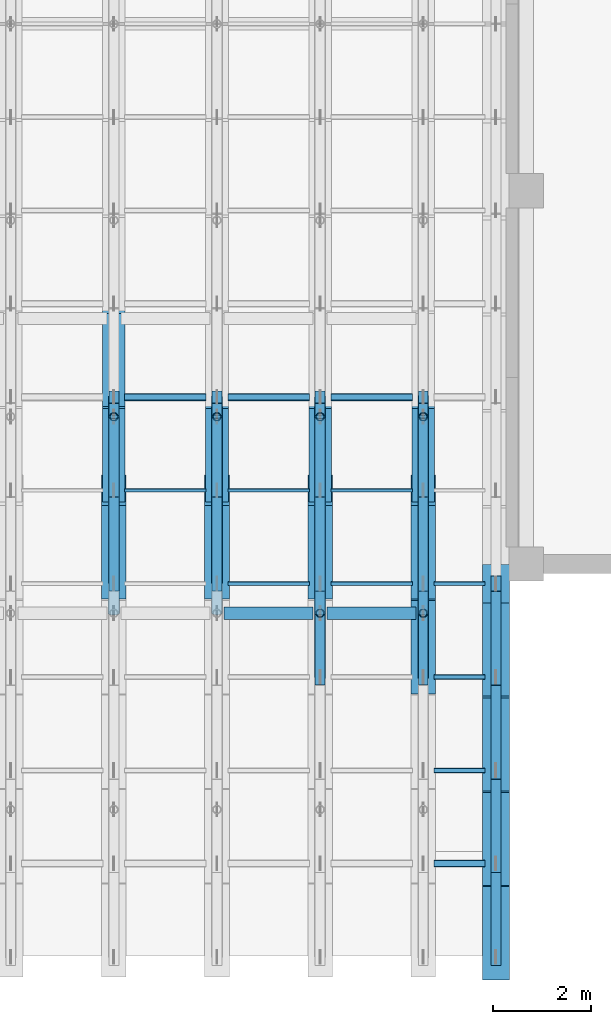
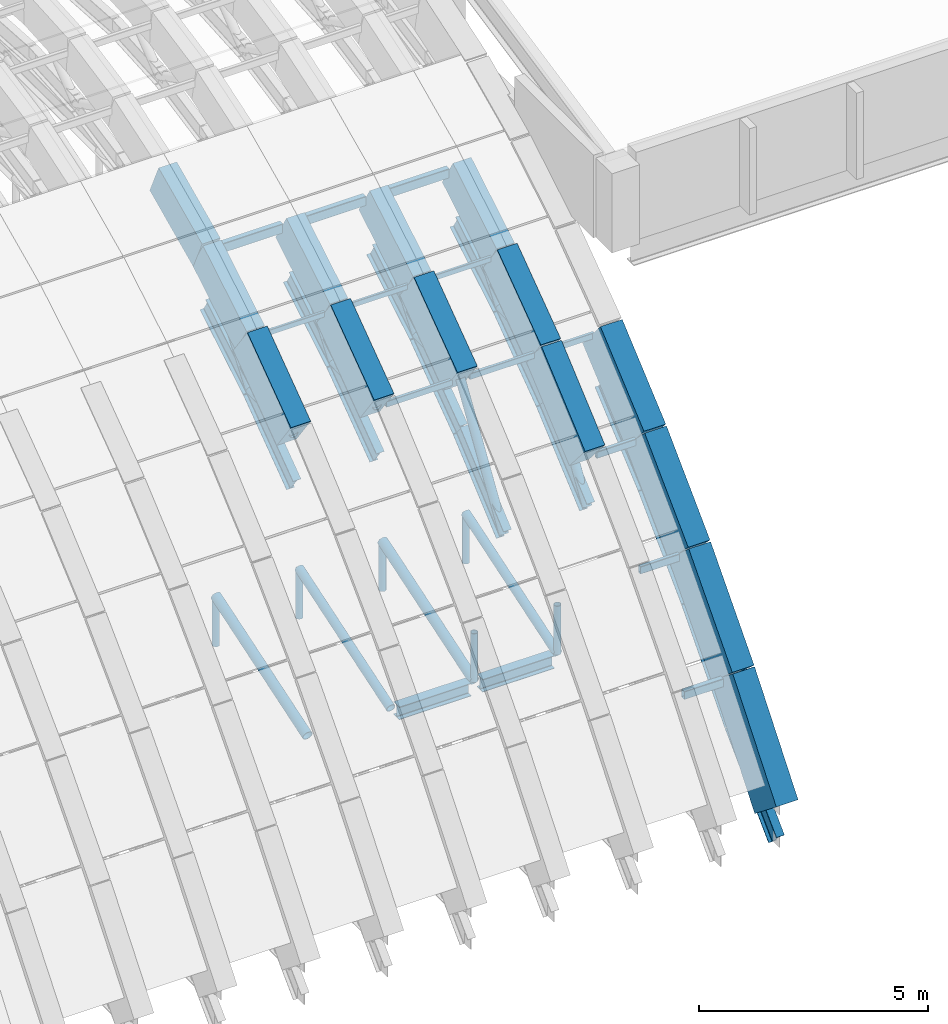
# One storey, part 33 of 67: 32 members, 30 beams.
"""IFC4 building model written with IfcOpenShell, lengths in metres."""

from ifc_helpers import new_model, si_unit, direction, frame, origin, origin_2d, place, context, subcontext, project, spatial, rectangle, hollow_rectangle, hollow_circle, i_section, extrude, material, material_profile, profile_set, type_object, element, save


model = new_model("IFC4")

# Units and contexts
model_context = context("Model", 3, precision=1e-05, world=origin(), true_north=direction((0.0, 1.0)))
body_context = subcontext(model_context, "Body", "Model", "MODEL_VIEW")
ifc_project = project(units=[si_unit("LENGTHUNIT", "METRE"), si_unit("AREAUNIT", "SQUARE_METRE"), si_unit("VOLUMEUNIT", "CUBIC_METRE"), si_unit("PLANEANGLEUNIT", "RADIAN"), si_unit("MASSUNIT", "GRAM", prefix="KILO")], contexts=[model_context])

# Site, building, storey
site_placement = place(None, origin())
site = spatial("IfcSite", under=ifc_project, at=site_placement, CompositionType="ELEMENT")
building_placement = place(site_placement, origin())
building = spatial("IfcBuilding", under=site, at=building_placement, Name="Shengluoqiao Park Theatre", CompositionType="ELEMENT")
storey_placement = place(building_placement, frame((0.0, 0.0, 28.60009765625)))
storey = spatial("IfcBuildingStorey", under=building, at=storey_placement, Name="Roof", CompositionType="ELEMENT", Elevation=28.60009765625)

# Beams
ifc_material_1 = material(Name="Concrete C50", Category="concrete")
ifc_material_profile_1 = material_profile(ifc_material_1, rectangle(XDim=0.4599609375, YDim=0.919921875, at=origin_2d()), Name="RC ARCH 460x920")
ifc_profile_set_1 = profile_set([ifc_material_profile_1], Name="Concrete C50")
beam_type_1 = type_object("IfcBeamType", Name="STR-BM-AR-4609", PredefinedType="BEAM", material=ifc_profile_set_1)
beam_1_placement = place(storey_placement, frame((78.0, 85.5, -0.570068359375), z_axis=(0.0, 0.858668723557, 0.512530997292), x_axis=(-1.0, 0.0, 0.0)))
element("IfcBeam", 1, at=beam_1_placement, inside=storey, type_object=beam_type_1, Name="Barrel-Shell Arch Rib R17-S06", PredefinedType="BEAM", context=body_context, shape_type="SweptSolid", body=[
    extrude(rectangle(XDim=0.4599609375, YDim=0.919921875, at=origin_2d()), origin(), (0.0, 0.0, 1.0), 2.212646484375),
])
beam_2_placement = place(storey_placement, frame((78.0, 87.39990234375, 0.56396484375), z_axis=(0.0, 0.907077318021, 0.420964059192), x_axis=(-1.0, 0.0, 0.0)))
element("IfcBeam", 2, at=beam_2_placement, inside=storey, type_object=beam_type_1, Name="Barrel-Shell Arch Rib R17-S07", PredefinedType="BEAM", context=body_context, shape_type="SweptSolid", body=[
    extrude(rectangle(XDim=0.4599609375, YDim=0.919921875, at=origin_2d()), origin(), (0.0, 0.0, 1.0), 2.0947265625),
])
for number, where, z_axis, x_axis, name in (
    (3, (80.10009765625, 85.5, -0.570068359375), (0.0, 0.858668723557, 0.512530997292), (-1.0, 0.0, 0.0), "Barrel-Shell Arch Rib R18-S06"),
    (4, (82.199951171875, 85.5, -0.570068359375), (0.0, 0.858668723557, 0.512530997292), (-1.0, 0.0, 0.0), "Barrel-Shell Arch Rib R19-S06"),
    (5, (84.300048828125, 85.5, -0.570068359375), (0.0, 0.858668723557, 0.512530997292), (-1.0, 0.0, 0.0), "Barrel-Shell Arch Rib R20-S06"),
):
    element("IfcBeam", number, at=place(storey_placement, frame(where, z_axis=z_axis, x_axis=x_axis)), inside=storey, type_object=beam_type_1, Name=name, PredefinedType="BEAM", context=body_context, shape_type="SweptSolid", body=[
        extrude(rectangle(XDim=0.4599609375, YDim=0.919921875, at=origin_2d()), origin(), (0.0, 0.0, 1.0), 2.212646484375),
    ])
ifc_material_profile_2 = material_profile(ifc_material_1, rectangle(XDim=0.5, YDim=1.050048828125, at=origin_2d()), Name="RC ARCH 500x1050")
ifc_profile_set_2 = profile_set([ifc_material_profile_2], Name="Concrete C50")
beam_type_2 = type_object("IfcBeamType", Name="STR-BM-AR-5010", PredefinedType="BEAM", material=ifc_profile_set_2)
for number, where, z_axis, x_axis, name in (
    (6, (78.0, 83.60009765625, -1.9560546875), (0.0, 0.807877780345, 0.589350058985), (-1.0, 0.0, 0.0), "Barrel-Shell Arch Rib R17-S05"),
    (7, (80.10009765625, 83.60009765625, -1.9560546875), (0.0, 0.807877780345, 0.589350058985), (-1.0, 0.0, 0.0), "Barrel-Shell Arch Rib R18-S05"),
    (8, (82.199951171875, 83.60009765625, -1.9560546875), (0.0, 0.807877780345, 0.589350058985), (-1.0, 0.0, 0.0), "Barrel-Shell Arch Rib R19-S05"),
):
    element("IfcBeam", number, at=place(storey_placement, frame(where, z_axis=z_axis, x_axis=x_axis)), inside=storey, type_object=beam_type_2, Name=name, PredefinedType="BEAM", context=body_context, shape_type="SweptSolid", body=[
        extrude(rectangle(XDim=0.5, YDim=1.050048828125, at=origin_2d()), origin(), (0.0, 0.0, 1.0), 2.351806640625),
    ])
beam_3_placement = place(storey_placement, frame((84.300048828125, 81.699951171875, -3.593994140625), z_axis=(0.0, 0.757433195517, 0.652912669757), x_axis=(-1.0, 0.0, 0.0)))
element("IfcBeam", 9, at=beam_3_placement, inside=storey, type_object=beam_type_2, Name="Barrel-Shell Arch Rib R20-S04", PredefinedType="BEAM", context=body_context, shape_type="SweptSolid", body=[
    extrude(rectangle(XDim=0.5, YDim=1.050048828125, at=origin_2d()), origin(), (0.0, 0.0, 1.0), 2.508544921875),
])
beam_4_placement = place(storey_placement, frame((84.300048828125, 83.60009765625, -1.9560546875), z_axis=(0.0, 0.807877780345, 0.589350058985), x_axis=(-1.0, 0.0, 0.0)))
element("IfcBeam", 10, at=beam_4_placement, inside=storey, type_object=beam_type_2, Name="Barrel-Shell Arch Rib R20-S05", PredefinedType="BEAM", context=body_context, shape_type="SweptSolid", body=[
    extrude(rectangle(XDim=0.5, YDim=1.050048828125, at=origin_2d()), origin(), (0.0, 0.0, 1.0), 2.351806640625),
])
ifc_material_profile_3 = material_profile(ifc_material_1, rectangle(XDim=0.550048828125, YDim=1.199951171875, at=origin_2d()), Name="RC ARCH 550x1200")
ifc_profile_set_3 = profile_set([ifc_material_profile_3], Name="Concrete C50")
beam_type_3 = type_object("IfcBeamType", Name="STR-BM-AR-5512", PredefinedType="BEAM", material=ifc_profile_set_3)
beam_5_placement = place(storey_placement, frame((85.780029296875, 76.0, -10.02001953125), z_axis=(0.0, 0.621631409309, 0.783309894588), x_axis=(-1.0, 0.0, 0.0)))
element("IfcBeam", 11, at=beam_5_placement, inside=storey, type_object=beam_type_3, Name="Barrel-Shell Arch Rib R21-S01", PredefinedType="BEAM", context=body_context, shape_type="SweptSolid", body=[
    extrude(rectangle(XDim=0.550048828125, YDim=1.199951171875, at=origin_2d()), origin(), (0.0, 0.0, 1.0), 3.056396484375),
])
beam_6_placement = place(storey_placement, frame((85.780029296875, 77.89990234375, -7.6259765625), z_axis=(0.0, 0.663638456789, 0.748053473136), x_axis=(-1.0, 0.0, 0.0)))
element("IfcBeam", 12, at=beam_6_placement, inside=storey, type_object=beam_type_3, Name="Barrel-Shell Arch Rib R21-S02", PredefinedType="BEAM", context=body_context, shape_type="SweptSolid", body=[
    extrude(rectangle(XDim=0.550048828125, YDim=1.199951171875, at=origin_2d()), origin(), (0.0, 0.0, 1.0), 2.86328125),
])
beam_7_placement = place(storey_placement, frame((85.780029296875, 79.800048828125, -5.484130859375), z_axis=(0.0, 0.708926398432, 0.705282469373), x_axis=(-1.0, 0.0, 0.0)))
element("IfcBeam", 13, at=beam_7_placement, inside=storey, type_object=beam_type_3, Name="Barrel-Shell Arch Rib R21-S03", PredefinedType="BEAM", context=body_context, shape_type="SweptSolid", body=[
    extrude(rectangle(XDim=0.550048828125, YDim=1.199951171875, at=origin_2d()), origin(), (0.0, 0.0, 1.0), 2.679931640625),
])
beam_8_placement = place(storey_placement, frame((85.780029296875, 81.699951171875, -3.593994140625), z_axis=(0.0, 0.757433195517, 0.652912669757), x_axis=(-1.0, 0.0, 0.0)))
element("IfcBeam", 14, at=beam_8_placement, inside=storey, type_object=beam_type_3, Name="Barrel-Shell Arch Rib R21-S04", PredefinedType="BEAM", context=body_context, shape_type="SweptSolid", body=[
    extrude(rectangle(XDim=0.550048828125, YDim=1.199951171875, at=origin_2d()), origin(), (0.0, 0.0, 1.0), 2.508544921875),
])
ifc_material_2 = material(Name="Steel Q355", Category="steel")
ifc_material_profile_4 = material_profile(ifc_material_2, i_section(OverallWidth=0.25, OverallDepth=0.340087890625, WebThickness=0.009033203125, FlangeThickness=0.013916015625, FilletRadius=0.01611328125, at=origin_2d()), Name="HM 340x250x9x14")
ifc_profile_set_4 = profile_set([ifc_material_profile_4], Name="Steel Q355")
beam_type_4 = type_object("IfcBeamType", Name="STR-BM-G-HM340", PredefinedType="BEAM", material=ifc_profile_set_4)
for number, where, z_axis, x_axis, name in (
    (15, (80.243896484375, 83.0, -9.77001953125), (1.0, 0.0, 0.0), (0.0, 1.0, 0.0), "Auditorium Overhead Catwalk Girder R18-1"),
    (16, (82.343994140625, 83.0, -9.77001953125), (1.0, 0.0, 0.0), (0.0, 1.0, 0.0), "Auditorium Overhead Catwalk Girder R19-1"),
):
    element("IfcBeam", number, at=place(storey_placement, frame(where, z_axis=z_axis, x_axis=x_axis)), inside=storey, type_object=beam_type_4, Name=name, PredefinedType="BEAM", context=body_context, shape_type="SweptSolid", body=[
        extrude(i_section(OverallWidth=0.25, OverallDepth=0.340087890625, WebThickness=0.009033203125, FlangeThickness=0.013916015625, FilletRadius=0.01611328125, at=origin_2d()), origin(), (0.0, 0.0, 1.0), 1.81201171875),
    ])
ifc_material_profile_5 = material_profile(ifc_material_2, i_section(OverallWidth=0.199951171875, OverallDepth=0.5, WebThickness=0.010009765625, FlangeThickness=0.01611328125, FilletRadius=0.01806640625, at=origin_2d()), Name="HN 500x200x10x16")
ifc_profile_set_5 = profile_set([ifc_material_profile_5], Name="Steel Q355")
beam_type_5 = type_object("IfcBeamType", Name="STR-BM-J-HN500", PredefinedType="JOIST", material=ifc_profile_set_5)
beam_9_placement = place(storey_placement, frame((78.0, 83.60009765625, -3.316162109375), z_axis=(0.0, 0.807877780345, 0.589350058985), x_axis=(-1.0, 0.0, 0.0)))
element("IfcBeam", 17, at=beam_9_placement, inside=storey, type_object=beam_type_5, Name="Barrel-Shell Lower Arch Chord R17-S05", PredefinedType="JOIST", context=body_context, shape_type="SweptSolid", body=[
    extrude(i_section(OverallWidth=0.199951171875, OverallDepth=0.5, WebThickness=0.010009765625, FlangeThickness=0.01611328125, FilletRadius=0.01806640625, at=origin_2d()), origin(), (0.0, 0.0, 1.0), 2.351806640625),
])
beam_10_placement = place(storey_placement, frame((78.0, 85.5, -1.93017578125), z_axis=(0.0, 0.858668723557, 0.512530997292), x_axis=(-1.0, 0.0, 0.0)))
element("IfcBeam", 18, at=beam_10_placement, inside=storey, type_object=beam_type_5, Name="Barrel-Shell Lower Arch Chord R17-S06", PredefinedType="JOIST", context=body_context, shape_type="SweptSolid", body=[
    extrude(i_section(OverallWidth=0.199951171875, OverallDepth=0.5, WebThickness=0.010009765625, FlangeThickness=0.01611328125, FilletRadius=0.01806640625, at=origin_2d()), origin(), (0.0, 0.0, 1.0), 2.212646484375),
])
beam_11_placement = place(storey_placement, frame((80.10009765625, 83.60009765625, -3.316162109375), z_axis=(0.0, 0.807877780345, 0.589350058985), x_axis=(-1.0, 0.0, 0.0)))
element("IfcBeam", 19, at=beam_11_placement, inside=storey, type_object=beam_type_5, Name="Barrel-Shell Lower Arch Chord R18-S05", PredefinedType="JOIST", context=body_context, shape_type="SweptSolid", body=[
    extrude(i_section(OverallWidth=0.199951171875, OverallDepth=0.5, WebThickness=0.010009765625, FlangeThickness=0.01611328125, FilletRadius=0.01806640625, at=origin_2d()), origin(), (0.0, 0.0, 1.0), 2.351806640625),
])
beam_12_placement = place(storey_placement, frame((80.10009765625, 85.5, -1.93017578125), z_axis=(0.0, 0.858668723557, 0.512530997292), x_axis=(-1.0, 0.0, 0.0)))
element("IfcBeam", 20, at=beam_12_placement, inside=storey, type_object=beam_type_5, Name="Barrel-Shell Lower Arch Chord R18-S06", PredefinedType="JOIST", context=body_context, shape_type="SweptSolid", body=[
    extrude(i_section(OverallWidth=0.199951171875, OverallDepth=0.5, WebThickness=0.010009765625, FlangeThickness=0.01611328125, FilletRadius=0.01806640625, at=origin_2d()), origin(), (0.0, 0.0, 1.0), 2.212646484375),
])
beam_13_placement = place(storey_placement, frame((82.199951171875, 81.699951171875, -4.9541015625), z_axis=(0.0, 0.757433195517, 0.652912669757), x_axis=(-1.0, 0.0, 0.0)))
element("IfcBeam", 21, at=beam_13_placement, inside=storey, type_object=beam_type_5, Name="Barrel-Shell Lower Arch Chord R19-S04", PredefinedType="JOIST", context=body_context, shape_type="SweptSolid", body=[
    extrude(i_section(OverallWidth=0.199951171875, OverallDepth=0.5, WebThickness=0.010009765625, FlangeThickness=0.01611328125, FilletRadius=0.01806640625, at=origin_2d()), origin(), (0.0, 0.0, 1.0), 2.508544921875),
])
beam_14_placement = place(storey_placement, frame((82.199951171875, 83.60009765625, -3.316162109375), z_axis=(0.0, 0.807877780345, 0.589350058985), x_axis=(-1.0, 0.0, 0.0)))
element("IfcBeam", 22, at=beam_14_placement, inside=storey, type_object=beam_type_5, Name="Barrel-Shell Lower Arch Chord R19-S05", PredefinedType="JOIST", context=body_context, shape_type="SweptSolid", body=[
    extrude(i_section(OverallWidth=0.199951171875, OverallDepth=0.5, WebThickness=0.010009765625, FlangeThickness=0.01611328125, FilletRadius=0.01806640625, at=origin_2d()), origin(), (0.0, 0.0, 1.0), 2.351806640625),
])
beam_15_placement = place(storey_placement, frame((82.199951171875, 85.5, -1.93017578125), z_axis=(0.0, 0.858668723557, 0.512530997292), x_axis=(-1.0, 0.0, 0.0)))
element("IfcBeam", 23, at=beam_15_placement, inside=storey, type_object=beam_type_5, Name="Barrel-Shell Lower Arch Chord R19-S06", PredefinedType="JOIST", context=body_context, shape_type="SweptSolid", body=[
    extrude(i_section(OverallWidth=0.199951171875, OverallDepth=0.5, WebThickness=0.010009765625, FlangeThickness=0.01611328125, FilletRadius=0.01806640625, at=origin_2d()), origin(), (0.0, 0.0, 1.0), 2.212646484375),
])
beam_16_placement = place(storey_placement, frame((84.300048828125, 81.699951171875, -4.9541015625), z_axis=(0.0, 0.757433195517, 0.652912669757), x_axis=(-1.0, 0.0, 0.0)))
element("IfcBeam", 24, at=beam_16_placement, inside=storey, type_object=beam_type_5, Name="Barrel-Shell Lower Arch Chord R20-S04", PredefinedType="JOIST", context=body_context, shape_type="SweptSolid", body=[
    extrude(i_section(OverallWidth=0.199951171875, OverallDepth=0.5, WebThickness=0.010009765625, FlangeThickness=0.01611328125, FilletRadius=0.01806640625, at=origin_2d()), origin(), (0.0, 0.0, 1.0), 2.508544921875),
])
beam_17_placement = place(storey_placement, frame((84.300048828125, 83.60009765625, -3.316162109375), z_axis=(0.0, 0.807877780345, 0.589350058985), x_axis=(-1.0, 0.0, 0.0)))
element("IfcBeam", 25, at=beam_17_placement, inside=storey, type_object=beam_type_5, Name="Barrel-Shell Lower Arch Chord R20-S05", PredefinedType="JOIST", context=body_context, shape_type="SweptSolid", body=[
    extrude(i_section(OverallWidth=0.199951171875, OverallDepth=0.5, WebThickness=0.010009765625, FlangeThickness=0.01611328125, FilletRadius=0.01806640625, at=origin_2d()), origin(), (0.0, 0.0, 1.0), 2.351806640625),
])
beam_18_placement = place(storey_placement, frame((84.300048828125, 85.5, -1.93017578125), z_axis=(0.0, 0.858668723557, 0.512530997292), x_axis=(-1.0, 0.0, 0.0)))
element("IfcBeam", 26, at=beam_18_placement, inside=storey, type_object=beam_type_5, Name="Barrel-Shell Lower Arch Chord R20-S06", PredefinedType="JOIST", context=body_context, shape_type="SweptSolid", body=[
    extrude(i_section(OverallWidth=0.199951171875, OverallDepth=0.5, WebThickness=0.010009765625, FlangeThickness=0.01611328125, FilletRadius=0.01806640625, at=origin_2d()), origin(), (0.0, 0.0, 1.0), 2.212646484375),
])
beam_19_placement = place(storey_placement, frame((85.780029296875, 76.0, -10.880126953125), z_axis=(0.0, 0.708197993403, 0.706013882398), x_axis=(-1.0, 0.0, 0.0)))
element("IfcBeam", 27, at=beam_19_placement, inside=storey, type_object=beam_type_5, Name="Barrel-Shell Lower Arch Chord R21-S01", PredefinedType="JOIST", context=body_context, shape_type="SweptSolid", body=[
    extrude(i_section(OverallWidth=0.199951171875, OverallDepth=0.5, WebThickness=0.010009765625, FlangeThickness=0.01611328125, FilletRadius=0.01806640625, at=origin_2d()), origin(), (0.0, 0.0, 1.0), 2.6826171875),
])
beam_20_placement = place(storey_placement, frame((85.780029296875, 77.89990234375, -8.986083984375), z_axis=(0.0, 0.663596128385, 0.748091022799), x_axis=(-1.0, 0.0, 0.0)))
element("IfcBeam", 28, at=beam_20_placement, inside=storey, type_object=beam_type_5, Name="Barrel-Shell Lower Arch Chord R21-S02", PredefinedType="JOIST", context=body_context, shape_type="SweptSolid", body=[
    extrude(i_section(OverallWidth=0.199951171875, OverallDepth=0.5, WebThickness=0.010009765625, FlangeThickness=0.01611328125, FilletRadius=0.01806640625, at=origin_2d()), origin(), (0.0, 0.0, 1.0), 2.863525390625),
])
beam_21_placement = place(storey_placement, frame((85.780029296875, 79.800048828125, -6.843994140625), z_axis=(0.0, 0.708971948389, 0.70523668112), x_axis=(-1.0, 0.0, 0.0)))
element("IfcBeam", 29, at=beam_21_placement, inside=storey, type_object=beam_type_5, Name="Barrel-Shell Lower Arch Chord R21-S03", PredefinedType="JOIST", context=body_context, shape_type="SweptSolid", body=[
    extrude(i_section(OverallWidth=0.199951171875, OverallDepth=0.5, WebThickness=0.010009765625, FlangeThickness=0.01611328125, FilletRadius=0.01806640625, at=origin_2d()), origin(), (0.0, 0.0, 1.0), 2.6796875),
])
beam_22_placement = place(storey_placement, frame((85.780029296875, 81.699951171875, -4.9541015625), z_axis=(0.0, 0.757433195517, 0.652912669757), x_axis=(-1.0, 0.0, 0.0)))
element("IfcBeam", 30, at=beam_22_placement, inside=storey, type_object=beam_type_5, Name="Barrel-Shell Lower Arch Chord R21-S04", PredefinedType="JOIST", context=body_context, shape_type="SweptSolid", body=[
    extrude(i_section(OverallWidth=0.199951171875, OverallDepth=0.5, WebThickness=0.010009765625, FlangeThickness=0.01611328125, FilletRadius=0.01806640625, at=origin_2d()), origin(), (0.0, 0.0, 1.0), 2.508544921875),
])

# Members
ifc_material_profile_6 = material_profile(ifc_material_2, hollow_circle(Radius=0.109619140625, WallThickness=0.010009765625, at=origin_2d()), Name="CHS 219x10")
ifc_profile_set_6 = profile_set([ifc_material_profile_6], Name="Steel Q355")
member_type_1 = type_object("IfcMemberType", Name="STR-MEM-BRC-219", PredefinedType="BRACE", material=ifc_profile_set_6)
member_1_placement = place(storey_placement, frame((78.0, 83.60009765625, -1.9560546875), z_axis=(0.0, 0.999907244674, 0.013619913639), x_axis=(-1.0, 0.0, 0.0)))
element("IfcMember", 31, at=member_1_placement, inside=storey, type_object=member_type_1, Name="Barrel-Shell Arch Truss Web 0325", PredefinedType="BRACE", context=body_context, shape_type="SweptSolid", body=[
    extrude(hollow_circle(Radius=0.109619140625, WallThickness=0.010009765625, at=origin_2d()), origin(), (0.0, 0.0, 1.0), 1.900146484375),
])
member_2_placement = place(storey_placement, frame((78.0, 85.5, -1.93017578125), z_axis=(0.0, 0.605963445698, 0.795492490523), x_axis=(-1.0, 0.0, 0.0)))
element("IfcMember", 32, at=member_2_placement, inside=storey, type_object=member_type_1, Name="Barrel-Shell Arch Truss Web 0326", PredefinedType="BRACE", context=body_context, shape_type="SweptSolid", body=[
    extrude(hollow_circle(Radius=0.109619140625, WallThickness=0.010009765625, at=origin_2d()), origin(), (0.0, 0.0, 1.0), 3.13525390625),
])
member_3_placement = place(storey_placement, frame((80.10009765625, 83.60009765625, -1.9560546875), z_axis=(0.0, 0.999907244674, 0.013619913639), x_axis=(-1.0, 0.0, 0.0)))
element("IfcMember", 33, at=member_3_placement, inside=storey, type_object=member_type_1, Name="Barrel-Shell Arch Truss Web 0345", PredefinedType="BRACE", context=body_context, shape_type="SweptSolid", body=[
    extrude(hollow_circle(Radius=0.109619140625, WallThickness=0.010009765625, at=origin_2d()), origin(), (0.0, 0.0, 1.0), 1.900146484375),
])
member_4_placement = place(storey_placement, frame((80.10009765625, 85.5, -1.93017578125), z_axis=(0.0, 0.605963445698, 0.795492490523), x_axis=(-1.0, 0.0, 0.0)))
element("IfcMember", 34, at=member_4_placement, inside=storey, type_object=member_type_1, Name="Barrel-Shell Arch Truss Web 0346", PredefinedType="BRACE", context=body_context, shape_type="SweptSolid", body=[
    extrude(hollow_circle(Radius=0.109619140625, WallThickness=0.010009765625, at=origin_2d()), origin(), (0.0, 0.0, 1.0), 3.13525390625),
])
member_5_placement = place(storey_placement, frame((82.199951171875, 81.699951171875, -4.9541015625), z_axis=(0.0, 0.535330234694, 0.844642847494), x_axis=(-1.0, 0.0, 0.0)))
element("IfcMember", 35, at=member_5_placement, inside=storey, type_object=member_type_1, Name="Barrel-Shell Arch Truss Web 0364", PredefinedType="BRACE", context=body_context, shape_type="SweptSolid", body=[
    extrude(hollow_circle(Radius=0.109619140625, WallThickness=0.010009765625, at=origin_2d()), origin(), (0.0, 0.0, 1.0), 3.549560546875),
])
member_6_placement = place(storey_placement, frame((82.199951171875, 83.60009765625, -1.9560546875), z_axis=(0.0, 0.999907244674, 0.013619913639), x_axis=(-1.0, 0.0, 0.0)))
element("IfcMember", 36, at=member_6_placement, inside=storey, type_object=member_type_1, Name="Barrel-Shell Arch Truss Web 0365", PredefinedType="BRACE", context=body_context, shape_type="SweptSolid", body=[
    extrude(hollow_circle(Radius=0.109619140625, WallThickness=0.010009765625, at=origin_2d()), origin(), (0.0, 0.0, 1.0), 1.900146484375),
])
member_7_placement = place(storey_placement, frame((82.199951171875, 85.5, -1.93017578125), z_axis=(0.0, 0.605963445698, 0.795492490523), x_axis=(-1.0, 0.0, 0.0)))
element("IfcMember", 37, at=member_7_placement, inside=storey, type_object=member_type_1, Name="Barrel-Shell Arch Truss Web 0366", PredefinedType="BRACE", context=body_context, shape_type="SweptSolid", body=[
    extrude(hollow_circle(Radius=0.109619140625, WallThickness=0.010009765625, at=origin_2d()), origin(), (0.0, 0.0, 1.0), 3.13525390625),
])
member_8_placement = place(storey_placement, frame((84.300048828125, 81.699951171875, -4.9541015625), z_axis=(0.0, 0.535330234694, 0.844642847494), x_axis=(-1.0, 0.0, 0.0)))
element("IfcMember", 38, at=member_8_placement, inside=storey, type_object=member_type_1, Name="Barrel-Shell Arch Truss Web 0384", PredefinedType="BRACE", context=body_context, shape_type="SweptSolid", body=[
    extrude(hollow_circle(Radius=0.109619140625, WallThickness=0.010009765625, at=origin_2d()), origin(), (0.0, 0.0, 1.0), 3.549560546875),
])
member_9_placement = place(storey_placement, frame((84.300048828125, 83.60009765625, -1.9560546875), z_axis=(0.0, 0.999907244674, 0.013619913639), x_axis=(-1.0, 0.0, 0.0)))
element("IfcMember", 39, at=member_9_placement, inside=storey, type_object=member_type_1, Name="Barrel-Shell Arch Truss Web 0385", PredefinedType="BRACE", context=body_context, shape_type="SweptSolid", body=[
    extrude(hollow_circle(Radius=0.109619140625, WallThickness=0.010009765625, at=origin_2d()), origin(), (0.0, 0.0, 1.0), 1.900146484375),
])
member_10_placement = place(storey_placement, frame((84.300048828125, 85.5, -1.93017578125), z_axis=(0.0, 0.605963445698, 0.795492490523), x_axis=(-1.0, 0.0, 0.0)))
element("IfcMember", 40, at=member_10_placement, inside=storey, type_object=member_type_1, Name="Barrel-Shell Arch Truss Web 0386", PredefinedType="BRACE", context=body_context, shape_type="SweptSolid", body=[
    extrude(hollow_circle(Radius=0.109619140625, WallThickness=0.010009765625, at=origin_2d()), origin(), (0.0, 0.0, 1.0), 3.13525390625),
])
for number, where, z_axis, x_axis, name in (
    (41, (80.10009765625, 83.0, -9.650146484375), (0.0, 0.951030656115, 0.309096572498), (-1.0, 0.0, 0.0), "Acoustic Tie Truss Diagonal 0147"),
    (42, (84.300048828125, 83.0, -9.650146484375), (0.0, 0.951030656115, 0.309096572498), (-1.0, 0.0, 0.0), "Acoustic Tie Truss Diagonal 0181"),
):
    element("IfcMember", number, at=place(storey_placement, frame(where, z_axis=z_axis, x_axis=x_axis)), inside=storey, type_object=member_type_1, Name=name, PredefinedType="BRACE", context=body_context, shape_type="SweptSolid", body=[
        extrude(hollow_circle(Radius=0.109619140625, WallThickness=0.010009765625, at=origin_2d()), origin(), (0.0, 0.0, 1.0), 4.2060546875),
    ])
ifc_material_profile_7 = material_profile(ifc_material_2, hollow_circle(Radius=0.12255859375, WallThickness=0.010009765625, at=origin_2d()), Name="CHS 245x10")
ifc_profile_set_7 = profile_set([ifc_material_profile_7], Name="Steel Q355")
member_type_2 = type_object("IfcMemberType", Name="STR-MEM-BRC-245", PredefinedType="BRACE", material=ifc_profile_set_7)
for number, where, z_axis, x_axis, name in (
    (43, (78.0, 83.0, -9.650146484375), (0.0, 0.951030656115, 0.309096572498), (-1.0, 0.0, 0.0), "Acoustic Tie Truss Diagonal 0130"),
    (44, (82.199951171875, 83.0, -9.650146484375), (0.0, 0.951030656115, 0.309096572498), (-1.0, 0.0, 0.0), "Acoustic Tie Truss Diagonal 0164"),
):
    element("IfcMember", number, at=place(storey_placement, frame(where, z_axis=z_axis, x_axis=x_axis)), inside=storey, type_object=member_type_2, Name=name, PredefinedType="BRACE", context=body_context, shape_type="SweptSolid", body=[
        extrude(hollow_circle(Radius=0.12255859375, WallThickness=0.010009765625, at=origin_2d()), origin(), (0.0, 0.0, 1.0), 4.2060546875),
    ])
ifc_material_profile_8 = material_profile(ifc_material_2, hollow_rectangle(XDim=0.070068359375, YDim=0.139892578125, WallThickness=0.006103515625, InnerFilletRadius=0.006103515625, OuterFilletRadius=0.011962890625, at=origin_2d()), Name="RHS 140x70x6")
ifc_profile_set_8 = profile_set([ifc_material_profile_8], Name="Steel Q355")
member_type_3 = type_object("IfcMemberType", Name="STR-MEM-PU-R140", PredefinedType="PURLIN", material=ifc_profile_set_8)
for number, where, z_axis, x_axis, name in (
    (45, (78.219970703125, 85.5, -0.570068359375), (1.0, 0.0, 0.0), (0.0, 1.0, 0.0), "Shell Longitudinal Purlin 0309"),
    (46, (80.320068359375, 85.5, -0.570068359375), (1.0, 0.0, 0.0), (0.0, 1.0, 0.0), "Shell Longitudinal Purlin 0328"),
):
    element("IfcMember", number, at=place(storey_placement, frame(where, z_axis=z_axis, x_axis=x_axis)), inside=storey, type_object=member_type_3, Name=name, PredefinedType="PURLIN", context=body_context, shape_type="SweptSolid", body=[
        extrude(hollow_rectangle(XDim=0.070068359375, YDim=0.139892578125, WallThickness=0.006103515625, InnerFilletRadius=0.006103515625, OuterFilletRadius=0.011962890625, at=origin_2d()), origin(), (0.0, 0.0, 1.0), 1.659912109375),
    ])
member_11_placement = place(storey_placement, frame((82.419921875, 85.5, -0.570068359375), z_axis=(1.0, 0.0, 0.0), x_axis=(0.0, 1.0, 0.0)))
element("IfcMember", 47, at=member_11_placement, inside=storey, type_object=member_type_3, Name="Shell Longitudinal Purlin 0347", PredefinedType="PURLIN", context=body_context, shape_type="SweptSolid", body=[
    extrude(hollow_rectangle(XDim=0.070068359375, YDim=0.139892578125, WallThickness=0.006103515625, InnerFilletRadius=0.006103515625, OuterFilletRadius=0.011962890625, at=origin_2d()), origin(), (0.0, 0.0, 1.0), 1.66015625),
])
ifc_material_profile_9 = material_profile(ifc_material_2, hollow_rectangle(XDim=0.080078125, YDim=0.159912109375, WallThickness=0.006103515625, InnerFilletRadius=0.006103515625, OuterFilletRadius=0.011962890625, at=origin_2d()), Name="RHS 160x80x6")
ifc_profile_set_9 = profile_set([ifc_material_profile_9], Name="Steel Q355")
member_type_4 = type_object("IfcMemberType", Name="STR-MEM-PU-R160", PredefinedType="PURLIN", material=ifc_profile_set_9)
member_12_placement = place(storey_placement, frame((80.320068359375, 83.60009765625, -1.97607421875), z_axis=(1.0, 0.0, 0.0), x_axis=(0.0, 1.0, 0.0)))
element("IfcMember", 48, at=member_12_placement, inside=storey, type_object=member_type_4, Name="Shell Longitudinal Purlin 0327", PredefinedType="PURLIN", context=body_context, shape_type="SweptSolid", body=[
    extrude(hollow_rectangle(XDim=0.080078125, YDim=0.159912109375, WallThickness=0.006103515625, InnerFilletRadius=0.006103515625, OuterFilletRadius=0.011962890625, at=origin_2d()), origin(), (0.0, 0.0, 1.0), 1.659912109375),
])
member_13_placement = place(storey_placement, frame((82.419921875, 83.60009765625, -1.97607421875), z_axis=(1.0, 0.0, 0.0), x_axis=(0.0, 1.0, 0.0)))
element("IfcMember", 49, at=member_13_placement, inside=storey, type_object=member_type_4, Name="Shell Longitudinal Purlin 0346", PredefinedType="PURLIN", context=body_context, shape_type="SweptSolid", body=[
    extrude(hollow_rectangle(XDim=0.080078125, YDim=0.159912109375, WallThickness=0.006103515625, InnerFilletRadius=0.006103515625, OuterFilletRadius=0.011962890625, at=origin_2d()), origin(), (0.0, 0.0, 1.0), 1.66015625),
])
member_14_placement = place(storey_placement, frame((84.52001953125, 83.60009765625, -1.97607421875), z_axis=(1.0, 0.0, 0.0), x_axis=(0.0, 1.0, 0.0)))
element("IfcMember", 50, at=member_14_placement, inside=storey, type_object=member_type_4, Name="Shell Longitudinal Purlin 0365", PredefinedType="PURLIN", context=body_context, shape_type="SweptSolid", body=[
    extrude(hollow_rectangle(XDim=0.080078125, YDim=0.159912109375, WallThickness=0.006103515625, InnerFilletRadius=0.006103515625, OuterFilletRadius=0.011962890625, at=origin_2d()), origin(), (0.0, 0.0, 1.0), 1.0400390625),
])
ifc_material_profile_10 = material_profile(ifc_material_2, hollow_rectangle(XDim=0.10009765625, YDim=0.179931640625, WallThickness=0.008056640625, InnerFilletRadius=0.008056640625, OuterFilletRadius=0.01611328125, at=origin_2d()), Name="RHS 180x100x8")
ifc_profile_set_10 = profile_set([ifc_material_profile_10], Name="Steel Q355")
member_type_5 = type_object("IfcMemberType", Name="STR-MEM-PU-R180", PredefinedType="PURLIN", material=ifc_profile_set_10)
member_15_placement = place(storey_placement, frame((84.52001953125, 81.699951171875, -3.64404296875), z_axis=(1.0, 0.0, 0.0), x_axis=(0.0, 1.0, 0.0)))
element("IfcMember", 51, at=member_15_placement, inside=storey, type_object=member_type_5, Name="Shell Longitudinal Purlin 0364", PredefinedType="PURLIN", context=body_context, shape_type="SweptSolid", body=[
    extrude(hollow_rectangle(XDim=0.10009765625, YDim=0.179931640625, WallThickness=0.008056640625, InnerFilletRadius=0.008056640625, OuterFilletRadius=0.01611328125, at=origin_2d()), origin(), (0.0, 0.0, 1.0), 1.0400390625),
])
ifc_material_profile_11 = material_profile(ifc_material_2, hollow_rectangle(XDim=0.10009765625, YDim=0.199951171875, WallThickness=0.008056640625, InnerFilletRadius=0.008056640625, OuterFilletRadius=0.01611328125, at=origin_2d()), Name="RHS 200x100x8")
ifc_profile_set_11 = profile_set([ifc_material_profile_11], Name="Steel Q355")
member_type_6 = type_object("IfcMemberType", Name="STR-MEM-PU-R200", PredefinedType="PURLIN", material=ifc_profile_set_11)
member_16_placement = place(storey_placement, frame((84.52001953125, 79.800048828125, -5.564208984375), z_axis=(1.0, 0.0, 0.0), x_axis=(0.0, 1.0, 0.0)))
element("IfcMember", 52, at=member_16_placement, inside=storey, type_object=member_type_6, Name="Shell Longitudinal Purlin 0363", PredefinedType="PURLIN", context=body_context, shape_type="SweptSolid", body=[
    extrude(hollow_rectangle(XDim=0.10009765625, YDim=0.199951171875, WallThickness=0.008056640625, InnerFilletRadius=0.008056640625, OuterFilletRadius=0.01611328125, at=origin_2d()), origin(), (0.0, 0.0, 1.0), 1.0400390625),
])
ifc_material_profile_12 = material_profile(ifc_material_2, hollow_rectangle(XDim=0.139892578125, YDim=0.219970703125, WallThickness=0.010009765625, InnerFilletRadius=0.010009765625, OuterFilletRadius=0.02001953125, at=origin_2d()), Name="RHS 220x140x10")
ifc_profile_set_12 = profile_set([ifc_material_profile_12], Name="Steel Q355")
member_type_7 = type_object("IfcMemberType", Name="STR-MEM-PU-R220", PredefinedType="PURLIN", material=ifc_profile_set_12)
member_17_placement = place(storey_placement, frame((84.52001953125, 77.89990234375, -7.736083984375), z_axis=(1.0, 0.0, 0.0), x_axis=(0.0, 1.0, 0.0)))
element("IfcMember", 53, at=member_17_placement, inside=storey, type_object=member_type_7, Name="Shell Longitudinal Purlin 0362", PredefinedType="PURLIN", context=body_context, shape_type="SweptSolid", body=[
    extrude(hollow_rectangle(XDim=0.139892578125, YDim=0.219970703125, WallThickness=0.010009765625, InnerFilletRadius=0.010009765625, OuterFilletRadius=0.02001953125, at=origin_2d()), origin(), (0.0, 0.0, 1.0), 1.0400390625),
])
ifc_material_profile_13 = material_profile(ifc_material_2, hollow_rectangle(XDim=0.14990234375, YDim=0.25, WallThickness=0.010009765625, InnerFilletRadius=0.010009765625, OuterFilletRadius=0.02001953125, at=origin_2d()), Name="RHS 250x150x10")
ifc_profile_set_13 = profile_set([ifc_material_profile_13], Name="Steel Q355")
member_type_8 = type_object("IfcMemberType", Name="STR-MEM-PU-R250", PredefinedType="PURLIN", material=ifc_profile_set_13)
for number, where, z_axis, x_axis, name in (
    (54, (78.219970703125, 87.39990234375, 0.583984375), (1.0, 0.0, 0.0), (0.0, 1.0, 0.0), "Shell Longitudinal Purlin 0310"),
    (55, (80.320068359375, 87.39990234375, 0.583984375), (1.0, 0.0, 0.0), (0.0, 1.0, 0.0), "Shell Longitudinal Purlin 0329"),
):
    element("IfcMember", number, at=place(storey_placement, frame(where, z_axis=z_axis, x_axis=x_axis)), inside=storey, type_object=member_type_8, Name=name, PredefinedType="PURLIN", context=body_context, shape_type="SweptSolid", body=[
        extrude(hollow_rectangle(XDim=0.14990234375, YDim=0.25, WallThickness=0.010009765625, InnerFilletRadius=0.010009765625, OuterFilletRadius=0.02001953125, at=origin_2d()), origin(), (0.0, 0.0, 1.0), 1.659912109375),
    ])
member_18_placement = place(storey_placement, frame((82.419921875, 87.39990234375, 0.583984375), z_axis=(1.0, 0.0, 0.0), x_axis=(0.0, 1.0, 0.0)))
element("IfcMember", 56, at=member_18_placement, inside=storey, type_object=member_type_8, Name="Shell Longitudinal Purlin 0348", PredefinedType="PURLIN", context=body_context, shape_type="SweptSolid", body=[
    extrude(hollow_rectangle(XDim=0.14990234375, YDim=0.25, WallThickness=0.010009765625, InnerFilletRadius=0.010009765625, OuterFilletRadius=0.02001953125, at=origin_2d()), origin(), (0.0, 0.0, 1.0), 1.66015625),
])
ifc_material_profile_14 = material_profile(ifc_material_2, hollow_circle(Radius=0.083984375, WallThickness=0.008056640625, at=origin_2d()), Name="CHS 168x8")
ifc_profile_set_14 = profile_set([ifc_material_profile_14], Name="Steel Q355")
member_type_9 = type_object("IfcMemberType", Name="STR-MEM-STC-168", PredefinedType="STRUT", material=ifc_profile_set_14)
for number, where, z_axis, x_axis, name in (
    (57, (78.0, 87.0, -9.650146484375), (0.0, 0.0, 1.0), (1.0, 0.0, 0.0), "Acoustic Tie Truss Strut 0122"),
    (58, (80.10009765625, 87.0, -9.650146484375), (0.0, 0.0, 1.0), (1.0, 0.0, 0.0), "Acoustic Tie Truss Strut 0139"),
    (59, (82.199951171875, 83.0, -9.650146484375), (0.0, 0.0, 1.0), (1.0, 0.0, 0.0), "Acoustic Tie Truss Strut 0155"),
    (60, (82.199951171875, 87.0, -9.650146484375), (0.0, 0.0, 1.0), (1.0, 0.0, 0.0), "Acoustic Tie Truss Strut 0156"),
    (61, (84.300048828125, 83.0, -9.650146484375), (0.0, 0.0, 1.0), (1.0, 0.0, 0.0), "Acoustic Tie Truss Strut 0172"),
    (62, (84.300048828125, 87.0, -9.650146484375), (0.0, 0.0, 1.0), (1.0, 0.0, 0.0), "Acoustic Tie Truss Strut 0173"),
):
    element("IfcMember", number, at=place(storey_placement, frame(where, z_axis=z_axis, x_axis=x_axis)), inside=storey, type_object=member_type_9, Name=name, PredefinedType="STRUT", context=body_context, shape_type="SweptSolid", body=[
        extrude(hollow_circle(Radius=0.083984375, WallThickness=0.008056640625, at=origin_2d()), origin(), (0.0, 0.0, 1.0), 1.300048828125),
    ])

save(model, "model.ifc")
